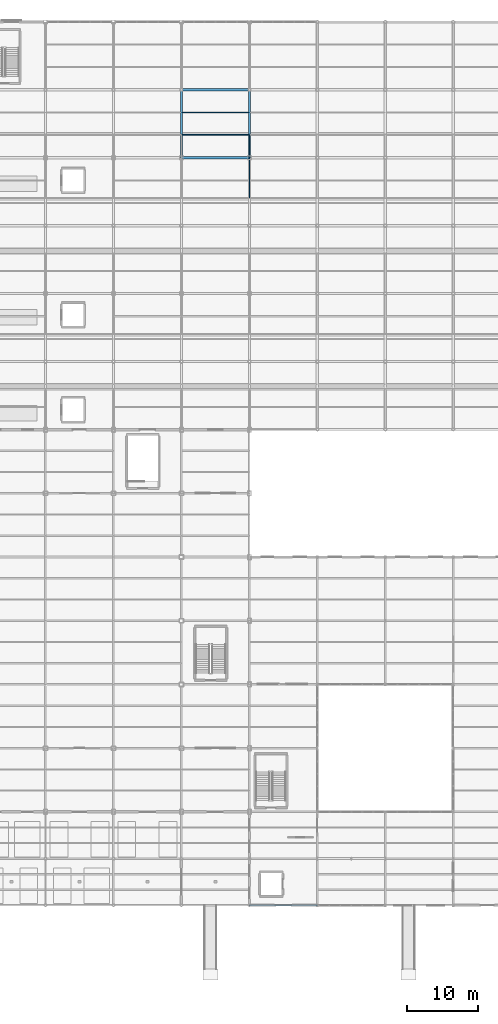
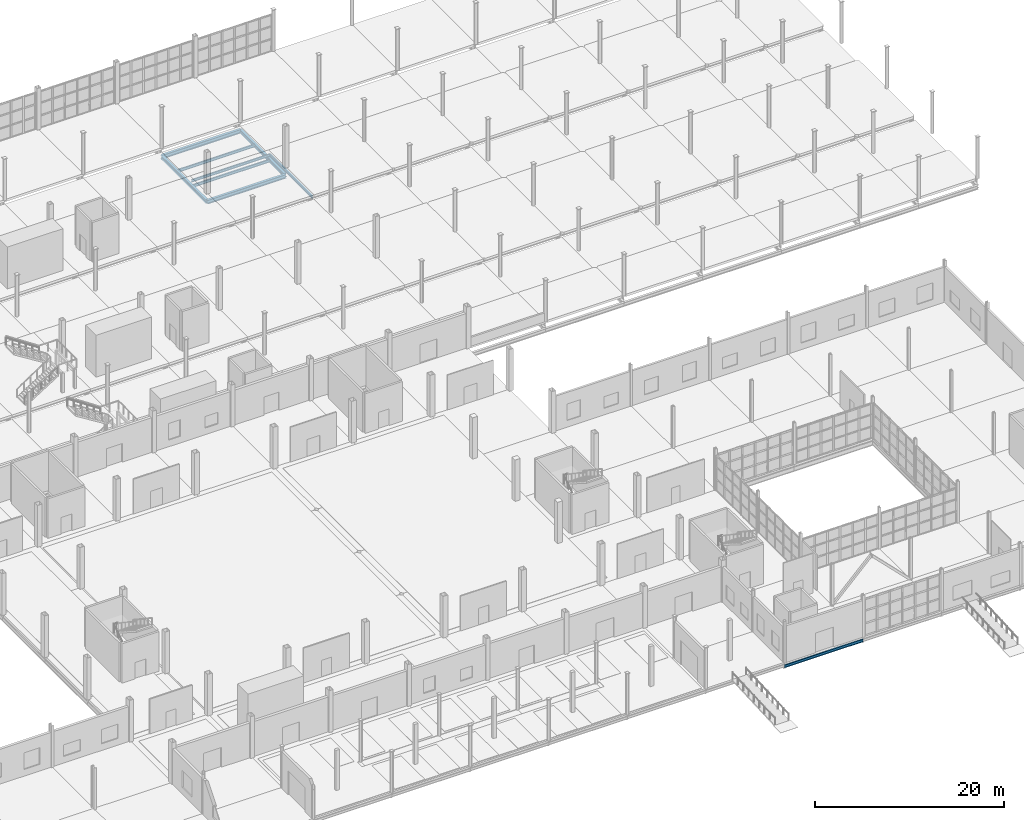
# One storey, part 33 of 85: 9 beams.
"""IFC4 building model written with IfcOpenShell, lengths in metres."""

from ifc_helpers import new_model, si_unit, direction, frame, origin, origin_2d, place, context, subcontext, project, spatial, i_section, extrude, material, material_profile, profile_set, type_object, element, save


model = new_model("IFC4")

# Units and contexts
model_context = context("Model", 3, precision=1e-05, world=origin(), true_north=direction((0.0, 1.0)))
body_context = subcontext(model_context, "Body", "Model", "MODEL_VIEW")
ifc_project = project(units=[si_unit("LENGTHUNIT", "METRE"), si_unit("AREAUNIT", "SQUARE_METRE"), si_unit("VOLUMEUNIT", "CUBIC_METRE"), si_unit("PLANEANGLEUNIT", "RADIAN"), si_unit("MASSUNIT", "GRAM", prefix="KILO")], contexts=[model_context])

# Site, building, storey
site_placement = place(None, origin())
site = spatial("IfcSite", under=ifc_project, at=site_placement, CompositionType="ELEMENT")
building_placement = place(site_placement, origin())
building = spatial("IfcBuilding", under=site, at=building_placement, Name="Zarnetskaya Central Station", CompositionType="ELEMENT")
storey_placement = place(building_placement, origin())
storey = spatial("IfcBuildingStorey", under=building, at=storey_placement, Name="L00", CompositionType="ELEMENT", Elevation=0.0)

# Beams
ifc_material = material(Name="Steel S355", Category="steel")
ifc_material_profile_1 = material_profile(ifc_material, i_section(OverallWidth=0.159912109375, OverallDepth=0.330078125, WebThickness=0.007568359375, FlangeThickness=0.011474609375, FilletRadius=0.01806640625, at=origin_2d()), Name="IPE 330")
ifc_profile_set_1 = profile_set([ifc_material_profile_1], Name="Steel S355")
beam_type_1 = type_object("IfcBeamType", Name="BM-SEC-330", PredefinedType="BEAM", material=ifc_profile_set_1)
beam_1_placement = place(storey_placement, frame((124.800048828125, 99.89990234375, -0.465087890625), z_axis=(0.0, 1.0, 0.0), x_axis=(-1.0, 0.0, 0.0)))
element("IfcBeam", 1, at=beam_1_placement, inside=storey, type_object=beam_type_1, Name="Platform transverse bearer GY-PLT-P3-P", PredefinedType="BEAM", context=body_context, shape_type="SweptSolid", body=[
    extrude(i_section(OverallWidth=0.159912109375, OverallDepth=0.330078125, WebThickness=0.007568359375, FlangeThickness=0.011474609375, FilletRadius=0.01806640625, at=origin_2d()), origin(), (0.0, 0.0, 1.0), 9.0),
])
beam_2_placement = place(storey_placement, frame((115.199951171875, 108.89990234375, -0.465087890625), z_axis=(1.0, 0.0, 0.0), x_axis=(0.0, 1.0, 0.0)))
element("IfcBeam", 2, at=beam_2_placement, inside=storey, type_object=beam_type_1, Name="Platform north edge beam GX-PLT-P3-NP-N", PredefinedType="BEAM", context=body_context, shape_type="SweptSolid", body=[
    extrude(i_section(OverallWidth=0.159912109375, OverallDepth=0.330078125, WebThickness=0.007568359375, FlangeThickness=0.011474609375, FilletRadius=0.01806640625, at=origin_2d()), origin(), (0.0, 0.0, 1.0), 9.60009765625),
])
ifc_material_profile_2 = material_profile(ifc_material, i_section(OverallWidth=0.169921875, OverallDepth=0.360107421875, WebThickness=0.008056640625, FlangeThickness=0.0126953125, FilletRadius=0.01806640625, at=origin_2d()), Name="IPE 360")
ifc_profile_set_2 = profile_set([ifc_material_profile_2], Name="Steel S355")
beam_type_2 = type_object("IfcBeamType", Name="BM-SEC-360", PredefinedType="BEAM", material=ifc_profile_set_2)
for number, where, z_axis, x_axis, name in (
    (3, (115.280029296875, 108.800048828125, -1.090087890625), (1.0, 0.0, 0.0), (0.0, 1.0, 0.0), "Secondary floor beam SEC-L00-Z91-NP-1314-1"),
    (4, (115.280029296875, 112.0, -1.090087890625), (1.0, 0.0, 0.0), (0.0, 1.0, 0.0), "Secondary floor beam SEC-L00-Z91-NP-1314-2"),
):
    element("IfcBeam", number, at=place(storey_placement, frame(where, z_axis=z_axis, x_axis=x_axis)), inside=storey, type_object=beam_type_2, Name=name, PredefinedType="BEAM", context=body_context, shape_type="SweptSolid", body=[
        extrude(i_section(OverallWidth=0.169921875, OverallDepth=0.360107421875, WebThickness=0.008056640625, FlangeThickness=0.0126953125, FilletRadius=0.01806640625, at=origin_2d()), origin(), (0.0, 0.0, 1.0), 9.43994140625),
    ])
ifc_material_profile_3 = material_profile(ifc_material, i_section(OverallWidth=0.169921875, OverallDepth=0.360107421875, WebThickness=0.008056640625, FlangeThickness=0.0126953125, FilletRadius=0.01806640625, at=origin_2d()), Name="IPE 360")
ifc_profile_set_3 = profile_set([ifc_material_profile_3], Name="Steel S355")
beam_type_3 = type_object("IfcBeamType", Name="BM-SPN-V4", PredefinedType="SPANDREL", material=ifc_profile_set_3)
beam_3_placement = place(storey_placement, frame((124.800048828125, 0.0, -0.5), z_axis=(1.0, 0.0, 0.0), x_axis=(0.0, 1.0, 0.0)))
element("IfcBeam", 5, at=beam_3_placement, inside=storey, type_object=beam_type_3, Name="Grid girder GX-L00-1-PQ", PredefinedType="SPANDREL", context=body_context, shape_type="SweptSolid", body=[
    extrude(i_section(OverallWidth=0.169921875, OverallDepth=0.360107421875, WebThickness=0.008056640625, FlangeThickness=0.0126953125, FilletRadius=0.01806640625, at=origin_2d()), origin(), (0.0, 0.0, 1.0), 9.599853515625),
])
ifc_material_profile_4 = material_profile(ifc_material, i_section(OverallWidth=0.300048828125, OverallDepth=0.449951171875, WebThickness=0.013916015625, FlangeThickness=0.02587890625, FilletRadius=0.027099609375, at=origin_2d()), Name="HEB 450")
ifc_profile_set_4 = profile_set([ifc_material_profile_4], Name="Steel S355")
beam_type_4 = type_object("IfcBeamType", Name="GD-SUB-450", PredefinedType="USERDEFINED", material=ifc_profile_set_4)
for number, where, z_axis, x_axis, name in (
    (6, (115.199951171875, 105.60009765625, -1.135009765625), (0.0, 1.0, 0.0), (-1.0, 0.0, 0.0), "Grid girder GY-L00-N-1314"),
    (7, (124.800048828125, 105.60009765625, -1.135009765625), (0.0, 1.0, 0.0), (-1.0, 0.0, 0.0), "Grid girder GY-L00-P-1314"),
):
    element("IfcBeam", number, at=place(storey_placement, frame(where, z_axis=z_axis, x_axis=x_axis)), inside=storey, type_object=beam_type_4, Name=name, ObjectType="GIRDER", PredefinedType="USERDEFINED", context=body_context, shape_type="SweptSolid", body=[
        extrude(i_section(OverallWidth=0.300048828125, OverallDepth=0.449951171875, WebThickness=0.013916015625, FlangeThickness=0.02587890625, FilletRadius=0.027099609375, at=origin_2d()), origin(), (0.0, 0.0, 1.0), 9.599853515625),
    ])
ifc_material_profile_5 = material_profile(ifc_material, i_section(OverallWidth=0.300048828125, OverallDepth=0.5, WebThickness=0.014404296875, FlangeThickness=0.028076171875, FilletRadius=0.027099609375, at=origin_2d()), Name="HEB 500")
ifc_profile_set_5 = profile_set([ifc_material_profile_5], Name="Steel S355")
beam_type_5 = type_object("IfcBeamType", Name="GD-SUB-500", PredefinedType="USERDEFINED", material=ifc_profile_set_5)
for number, where, z_axis, x_axis, name in (
    (8, (115.199951171875, 105.60009765625, -1.159912109375), (1.0, 0.0, 0.0), (0.0, 1.0, 0.0), "Grid girder GX-L00-13-NP"),
    (9, (115.199951171875, 115.199951171875, -1.159912109375), (1.0, 0.0, 0.0), (0.0, 1.0, 0.0), "Grid girder GX-L00-14-NP"),
):
    element("IfcBeam", number, at=place(storey_placement, frame(where, z_axis=z_axis, x_axis=x_axis)), inside=storey, type_object=beam_type_5, Name=name, ObjectType="GIRDER", PredefinedType="USERDEFINED", context=body_context, shape_type="SweptSolid", body=[
        extrude(i_section(OverallWidth=0.300048828125, OverallDepth=0.5, WebThickness=0.014404296875, FlangeThickness=0.028076171875, FilletRadius=0.027099609375, at=origin_2d()), origin(), (0.0, 0.0, 1.0), 9.60009765625),
    ])

save(model, "model.ifc")
